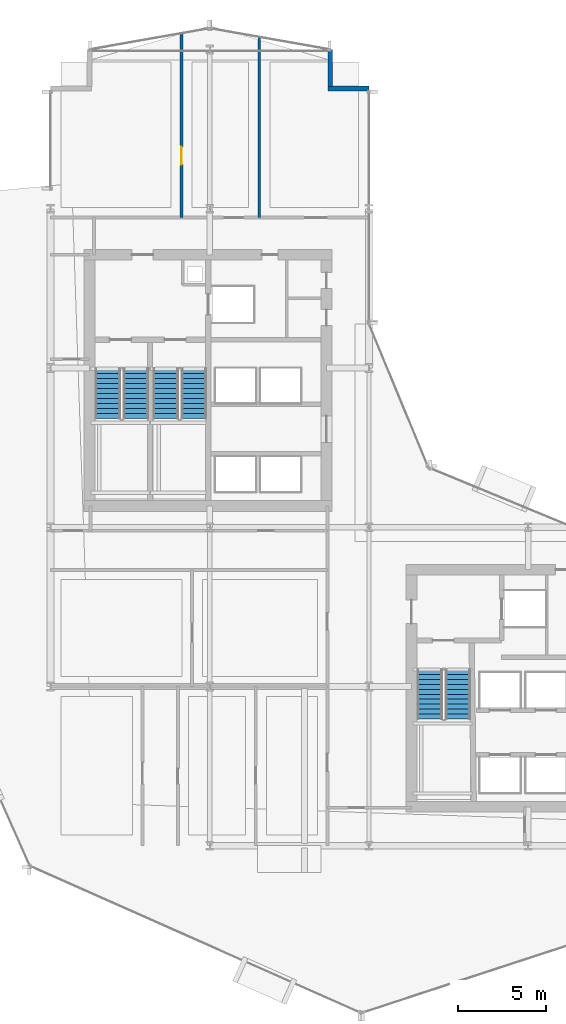
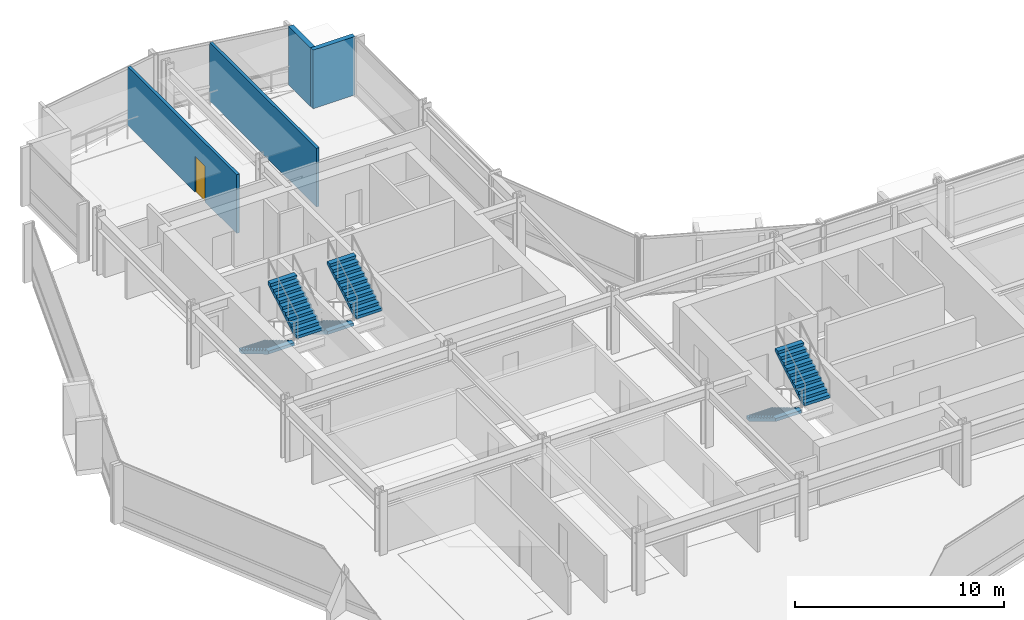
# One storey, part 29 of 34: 6 stair flights, 4 walls, 1 door, 1 opening, 3 elements without a shape of their own.
"""IFC4 building model written with IfcOpenShell, lengths in metres."""

from ifc_helpers import new_model, si_unit, direction, frame, frame_2d, origin, place, context, subcontext, project, spatial, polyline, rectangle, outline, extrude, material, layer, layer_set, type_object, element, fill, aggregate, save


model = new_model("IFC4")

# Units and contexts
model_context = context("Model", 3, precision=1e-05, world=origin(), true_north=direction((0.0, 1.0)))
body_context = subcontext(model_context, "Body", "Model", "MODEL_VIEW")
ifc_project = project(units=[si_unit("LENGTHUNIT", "METRE"), si_unit("AREAUNIT", "SQUARE_METRE"), si_unit("VOLUMEUNIT", "CUBIC_METRE"), si_unit("PLANEANGLEUNIT", "RADIAN"), si_unit("MASSUNIT", "GRAM", prefix="KILO")], contexts=[model_context])

# Site, building, storey
site_placement = place(None, origin())
site = spatial("IfcSite", under=ifc_project, at=site_placement, CompositionType="ELEMENT")
building_placement = place(site_placement, origin())
building = spatial("IfcBuilding", under=site, at=building_placement, Name="Solvaryn Broadcast Tower", CompositionType="ELEMENT")
storey_placement = place(building_placement, frame((0.0, 0.0, 47.10009765625)))
storey = spatial("IfcBuildingStorey", under=building, at=storey_placement, Name="L10", CompositionType="ELEMENT", Elevation=47.10009765625)

# Walls
ifc_material_1 = material(Name="Concrete f'c 50 MPa", Category="concrete")
ifc_layer_1 = layer(ifc_material_1, 0.260009765625)
ifc_layer_set_1 = layer_set([ifc_layer_1], Name="EW-PIER-260")
wall_type_1 = type_object("IfcWallType", Name="EW-PIER-260", PredefinedType="SOLIDWALL", material=ifc_layer_set_1)
wall_1_placement = place(storey_placement, frame((24.800048828125, 54.0, 0.0), z_axis=(0.0, 0.0, 1.0), x_axis=(0.0, -1.0, 0.0)))
element("IfcWall", 1, at=wall_1_placement, inside=storey, type_object=wall_type_1, Name="L10 Notched Corner Pier Wall NNE1", PredefinedType="SOLIDWALL", context=body_context, shape_type="SweptSolid", body=[
    extrude(rectangle(XDim=2.080078125, YDim=0.260009765625, at=frame_2d((1.0400390625, 0.0))), origin(), (0.0, 0.0, 1.0), 3.419921875),
])
wall_2_placement = place(storey_placement, frame((24.679931640625, 51.800048828125, 0.0), z_axis=(0.0, 0.0, 1.0), x_axis=(1.0, 0.0, 0.0)))
element("IfcWall", 2, at=wall_2_placement, inside=storey, type_object=wall_type_1, Name="L10 Notched Corner Pier Wall NNE2", PredefinedType="SOLIDWALL", context=body_context, shape_type="SweptSolid", body=[
    extrude(rectangle(XDim=2.320068359375, YDim=0.260009765625, at=frame_2d((1.16015625, 0.0))), origin(), (0.0, 0.0, 1.0), 3.419921875),
])

# Wall, opening, door
ifc_material_2 = material(Name="Metal-Stud Gypsum Office Partition")
ifc_layer_2 = layer(ifc_material_2, 0.159912109375)
ifc_layer_set_2 = layer_set([ifc_layer_2], Name="IW-PART-160")
wall_type_2 = type_object("IfcWallType", Name="IW-PART-160", PredefinedType="PARTITIONING", material=ifc_layer_set_2)
wall_3_placement = place(storey_placement, frame((16.39990234375, 44.5, 0.0), z_axis=(0.0, 0.0, 1.0), x_axis=(0.0, 1.0, 0.0)))
wall_3 = element("IfcWall", 3, at=wall_3_placement, inside=storey, type_object=wall_type_2, Name="L10 Interior Partition IW-L10-NW-V1", PredefinedType="PARTITIONING", context=body_context, shape_type="SweptSolid", body=[
    extrude(rectangle(XDim=10.41796875, YDim=0.159912109375, at=frame_2d((5.208984375, 0.0))), origin(), (0.0, 0.0, 1.0), 3.419921875),
])
opening_placement = place(wall_3_placement, frame((3.0, 0.0, 0.0)))
opening = element("IfcOpeningElement", 4, at=opening_placement, cuts=wall_3, Name="Opening ID02", PredefinedType="OPENING", context=body_context, shape_type="SweptSolid", body=[
    extrude(rectangle(XDim=1.0, YDim=2.10009765625, at=frame_2d((0.5, 1.050048828125))), frame((0.0, 0.090087890625, 0.0), z_axis=(0.0, -1.0, 0.0), x_axis=(1.0, 0.0, 0.0)), (0.0, 0.0, 1.0), 0.179931640625),
])
ifc_material_3 = material(Name="Flush Acoustic Steel and Timber Door Assembly", Category="steel")
door_type = type_object("IfcDoorType", Name="ID-02-1000X2100", OperationType="NOTDEFINED", PredefinedType="DOOR", material=ifc_material_3)
door_placement = place(opening_placement, origin())
door = element("IfcDoor", 5, at=door_placement, inside=storey, type_object=door_type, Name="L10 Door DR-L10-NW-C1", OperationType="SINGLE_SWING_RIGHT", OverallHeight=2.10009765625, OverallWidth=1.0, PredefinedType="DOOR", context=body_context, shape_type="SweptSolid", body=[
    extrude(rectangle(XDim=1.0, YDim=2.10009765625, at=frame_2d((0.5, 1.050048828125))), frame((0.0, 0.02490234375, 0.0), z_axis=(0.0, -1.0, 0.0), x_axis=(1.0, 0.0, 0.0)), (0.0, 0.0, 1.0), 0.050048828125),
])
fill(opening, door)

# Wall
wall_4_placement = place(storey_placement, frame((20.800048828125, 44.5, 0.0), z_axis=(0.0, 0.0, 1.0), x_axis=(0.0, 1.0, 0.0)))
element("IfcWall", 6, at=wall_4_placement, inside=storey, type_object=wall_type_2, Name="L10 Interior Partition IW-L10-NW-V2", PredefinedType="PARTITIONING", context=body_context, shape_type="SweptSolid", body=[
    extrude(rectangle(XDim=10.2060546875, YDim=0.159912109375, at=frame_2d((5.10302734375, 0.0))), origin(), (0.0, 0.0, 1.0), 3.419921875),
])

# Stair, stair flights
ifc_material_4 = material(Name="Concrete f'c 60 MPa", Category="concrete")
stair_type = type_object("IfcStairType", Name="ST-CORE", PredefinedType="HALF_TURN_STAIR", material=ifc_material_4)
stair_1_placement = place(storey_placement, origin())
stair_1 = element("IfcStair", 7, at=stair_1_placement, inside=storey, type_object=stair_type, Name="L10 ST1", PredefinedType="HALF_TURN_STAIR")
ifc_material_5 = material(Name="Concrete f'c 60 MPa", Category="concrete")
ifc_layer_3 = layer(ifc_material_5, 0.159912109375)
ifc_layer_set_3 = layer_set([ifc_layer_3], Name="SF-CORE")
stair_flight_type = type_object("IfcStairFlightType", Name="SF-CORE", PredefinedType="STRAIGHT", material=ifc_layer_set_3)
stair_flight_1_placement = place(storey_placement, frame((12.239990234375, 35.9599609375, 0.0), z_axis=(0.0, 0.0, 1.0), x_axis=(0.0, -1.0, 0.0)))
stair_flight_1 = element("IfcStairFlight", 8, at=stair_flight_1_placement, type_object=stair_flight_type, Name="ST1 flight 1", NumberOfRisers=11, NumberOfTreads=10, PredefinedType="STRAIGHT", RiserHeight=0.168181818, TreadLength=0.28, context=body_context, shape_type="SweptSolid", body=[
    extrude(outline(polyline([(0.0, 0.0), (0.0, 0.168212890625), (0.280029296875, 0.168212890625), (0.280029296875, 0.33642578125), (0.56005859375, 0.33642578125), (0.56005859375, 0.504638671875), (0.840087890625, 0.504638671875), (0.840087890625, 0.672607421875), (1.1201171875, 0.672607421875), (1.1201171875, 0.8408203125), (1.39990234375, 0.8408203125), (1.39990234375, 1.009033203125), (1.679931640625, 1.009033203125), (1.679931640625, 1.17724609375), (1.9599609375, 1.17724609375), (1.9599609375, 1.345458984375), (2.239990234375, 1.345458984375), (2.239990234375, 1.513671875), (2.52001953125, 1.513671875), (2.52001953125, 1.681884765625), (2.800048828125, 1.681884765625), (2.800048828125, 1.85009765625), (2.800048828125, 1.5068359375), (0.291015625, 0.0), (0.0, 0.0)])), frame((0.0, 0.719970703125, 0.0), z_axis=(0.0, -1.0, 0.0), x_axis=(1.0, 0.0, 0.0)), (0.0, 0.0, 1.0), 1.43994140625),
])
stair_flight_2_placement = place(storey_placement, frame((13.830078125, 33.159912109375, 1.849853515625), z_axis=(0.0, 0.0, 1.0), x_axis=(0.0, 1.0, 0.0)))
stair_flight_2 = element("IfcStairFlight", 9, at=stair_flight_2_placement, type_object=stair_flight_type, Name="ST1 flight 2", NumberOfRisers=11, NumberOfTreads=10, PredefinedType="STRAIGHT", RiserHeight=0.168181818, TreadLength=0.28, context=body_context, shape_type="SweptSolid", body=[
    extrude(outline(polyline([(0.0, 0.0), (0.0, 0.168212890625), (0.280029296875, 0.168212890625), (0.280029296875, 0.33642578125), (0.56005859375, 0.33642578125), (0.56005859375, 0.504638671875), (0.840087890625, 0.504638671875), (0.840087890625, 0.672607421875), (1.1201171875, 0.672607421875), (1.1201171875, 0.8408203125), (1.39990234375, 0.8408203125), (1.39990234375, 1.009033203125), (1.679931640625, 1.009033203125), (1.679931640625, 1.17724609375), (1.9599609375, 1.17724609375), (1.9599609375, 1.345458984375), (2.239990234375, 1.345458984375), (2.239990234375, 1.513671875), (2.52001953125, 1.513671875), (2.52001953125, 1.681884765625), (2.800048828125, 1.681884765625), (2.800048828125, 1.85009765625), (2.800048828125, 1.5068359375), (0.291015625, 0.0), (0.0, 0.0)])), frame((0.0, 0.719970703125, 0.0), z_axis=(0.0, -1.0, 0.0), x_axis=(1.0, 0.0, 0.0)), (0.0, 0.0, 1.0), 1.43994140625),
])
aggregate(stair_1, [stair_flight_1, stair_flight_2])

stair_2_placement = place(storey_placement, origin())
stair_2 = element("IfcStair", 10, at=stair_2_placement, inside=storey, type_object=stair_type, Name="L10 ST2", PredefinedType="HALF_TURN_STAIR")
stair_flight_3_placement = place(storey_placement, frame((15.52001953125, 35.9599609375, 0.0), z_axis=(0.0, 0.0, 1.0), x_axis=(0.0, -1.0, 0.0)))
stair_flight_3 = element("IfcStairFlight", 11, at=stair_flight_3_placement, type_object=stair_flight_type, Name="ST2 flight 1", NumberOfRisers=11, NumberOfTreads=10, PredefinedType="STRAIGHT", RiserHeight=0.168181818, TreadLength=0.28, context=body_context, shape_type="SweptSolid", body=[
    extrude(outline(polyline([(0.0, 0.0), (0.0, 0.168212890625), (0.280029296875, 0.168212890625), (0.280029296875, 0.33642578125), (0.56005859375, 0.33642578125), (0.56005859375, 0.504638671875), (0.840087890625, 0.504638671875), (0.840087890625, 0.672607421875), (1.1201171875, 0.672607421875), (1.1201171875, 0.8408203125), (1.39990234375, 0.8408203125), (1.39990234375, 1.009033203125), (1.679931640625, 1.009033203125), (1.679931640625, 1.17724609375), (1.9599609375, 1.17724609375), (1.9599609375, 1.345458984375), (2.239990234375, 1.345458984375), (2.239990234375, 1.513671875), (2.52001953125, 1.513671875), (2.52001953125, 1.681884765625), (2.800048828125, 1.681884765625), (2.800048828125, 1.85009765625), (2.800048828125, 1.5068359375), (0.291015625, 0.0), (0.0, 0.0)])), frame((0.0, 0.719970703125, 0.0), z_axis=(0.0, -1.0, 0.0), x_axis=(1.0, 0.0, 0.0)), (0.0, 0.0, 1.0), 1.43994140625),
])
stair_flight_4_placement = place(storey_placement, frame((17.110107421875, 33.159912109375, 1.849853515625), z_axis=(0.0, 0.0, 1.0), x_axis=(0.0, 1.0, 0.0)))
stair_flight_4 = element("IfcStairFlight", 12, at=stair_flight_4_placement, type_object=stair_flight_type, Name="ST2 flight 2", NumberOfRisers=11, NumberOfTreads=10, PredefinedType="STRAIGHT", RiserHeight=0.168181818, TreadLength=0.28, context=body_context, shape_type="SweptSolid", body=[
    extrude(outline(polyline([(0.0, 0.0), (0.0, 0.168212890625), (0.280029296875, 0.168212890625), (0.280029296875, 0.33642578125), (0.56005859375, 0.33642578125), (0.56005859375, 0.504638671875), (0.840087890625, 0.504638671875), (0.840087890625, 0.672607421875), (1.1201171875, 0.672607421875), (1.1201171875, 0.8408203125), (1.39990234375, 0.8408203125), (1.39990234375, 1.009033203125), (1.679931640625, 1.009033203125), (1.679931640625, 1.17724609375), (1.9599609375, 1.17724609375), (1.9599609375, 1.345458984375), (2.239990234375, 1.345458984375), (2.239990234375, 1.513671875), (2.52001953125, 1.513671875), (2.52001953125, 1.681884765625), (2.800048828125, 1.681884765625), (2.800048828125, 1.85009765625), (2.800048828125, 1.5068359375), (0.291015625, 0.0), (0.0, 0.0)])), frame((0.0, 0.719970703125, 0.0), z_axis=(0.0, -1.0, 0.0), x_axis=(1.0, 0.0, 0.0)), (0.0, 0.0, 1.0), 1.43994140625),
])
aggregate(stair_2, [stair_flight_3, stair_flight_4])

stair_3_placement = place(storey_placement, origin())
stair_3 = element("IfcStair", 13, at=stair_3_placement, inside=storey, type_object=stair_type, Name="L10 ST3", PredefinedType="HALF_TURN_STAIR")
stair_flight_5_placement = place(storey_placement, frame((30.43994140625, 18.9599609375, 0.0), z_axis=(0.0, 0.0, 1.0), x_axis=(0.0, -1.0, 0.0)))
stair_flight_5 = element("IfcStairFlight", 14, at=stair_flight_5_placement, type_object=stair_flight_type, Name="ST3 flight 1", NumberOfRisers=11, NumberOfTreads=10, PredefinedType="STRAIGHT", RiserHeight=0.168181818, TreadLength=0.28, context=body_context, shape_type="SweptSolid", body=[
    extrude(outline(polyline([(0.0, 0.0), (0.0, 0.168212890625), (0.280029296875, 0.168212890625), (0.280029296875, 0.33642578125), (0.56005859375, 0.33642578125), (0.56005859375, 0.504638671875), (0.840087890625, 0.504638671875), (0.840087890625, 0.672607421875), (1.1201171875, 0.672607421875), (1.1201171875, 0.8408203125), (1.39990234375, 0.8408203125), (1.39990234375, 1.009033203125), (1.679931640625, 1.009033203125), (1.679931640625, 1.17724609375), (1.9599609375, 1.17724609375), (1.9599609375, 1.345458984375), (2.239990234375, 1.345458984375), (2.239990234375, 1.513671875), (2.52001953125, 1.513671875), (2.52001953125, 1.681884765625), (2.800048828125, 1.681884765625), (2.800048828125, 1.85009765625), (2.800048828125, 1.5068359375), (0.291015625, 0.0), (0.0, 0.0)])), frame((0.0, 0.719970703125, 0.0), z_axis=(0.0, -1.0, 0.0), x_axis=(1.0, 0.0, 0.0)), (0.0, 0.0, 1.0), 1.43994140625),
])
stair_flight_6_placement = place(storey_placement, frame((32.030029296875, 16.159912109375, 1.849853515625), z_axis=(0.0, 0.0, 1.0), x_axis=(0.0, 1.0, 0.0)))
stair_flight_6 = element("IfcStairFlight", 15, at=stair_flight_6_placement, type_object=stair_flight_type, Name="ST3 flight 2", NumberOfRisers=11, NumberOfTreads=10, PredefinedType="STRAIGHT", RiserHeight=0.168181818, TreadLength=0.28, context=body_context, shape_type="SweptSolid", body=[
    extrude(outline(polyline([(0.0, 0.0), (0.0, 0.168212890625), (0.280029296875, 0.168212890625), (0.280029296875, 0.33642578125), (0.56005859375, 0.33642578125), (0.56005859375, 0.504638671875), (0.840087890625, 0.504638671875), (0.840087890625, 0.672607421875), (1.1201171875, 0.672607421875), (1.1201171875, 0.8408203125), (1.39990234375, 0.8408203125), (1.39990234375, 1.009033203125), (1.679931640625, 1.009033203125), (1.679931640625, 1.17724609375), (1.9599609375, 1.17724609375), (1.9599609375, 1.345458984375), (2.239990234375, 1.345458984375), (2.239990234375, 1.513671875), (2.52001953125, 1.513671875), (2.52001953125, 1.681884765625), (2.800048828125, 1.681884765625), (2.800048828125, 1.85009765625), (2.800048828125, 1.5068359375), (0.291015625, 0.0), (0.0, 0.0)])), frame((0.0, 0.719970703125, 0.0), z_axis=(0.0, -1.0, 0.0), x_axis=(1.0, 0.0, 0.0)), (0.0, 0.0, 1.0), 1.43994140625),
])
aggregate(stair_3, [stair_flight_5, stair_flight_6])

save(model, "model.ifc")
